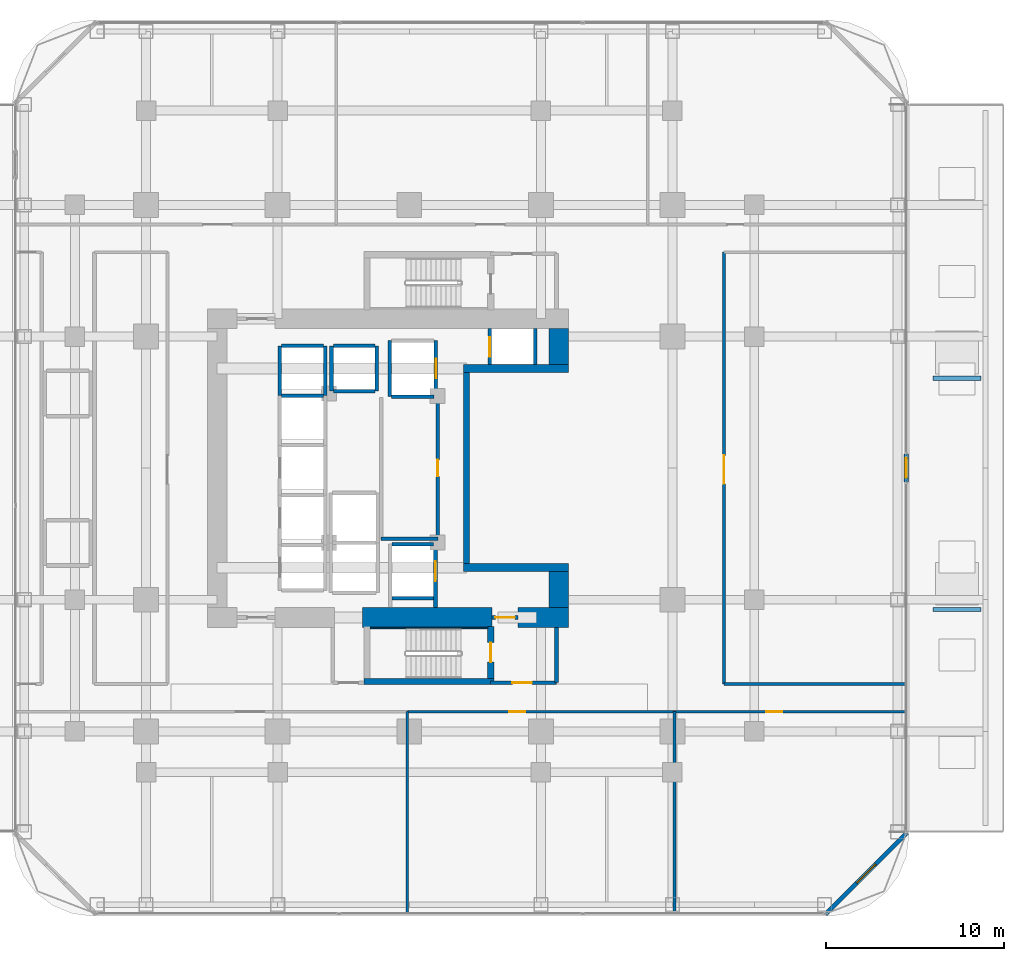
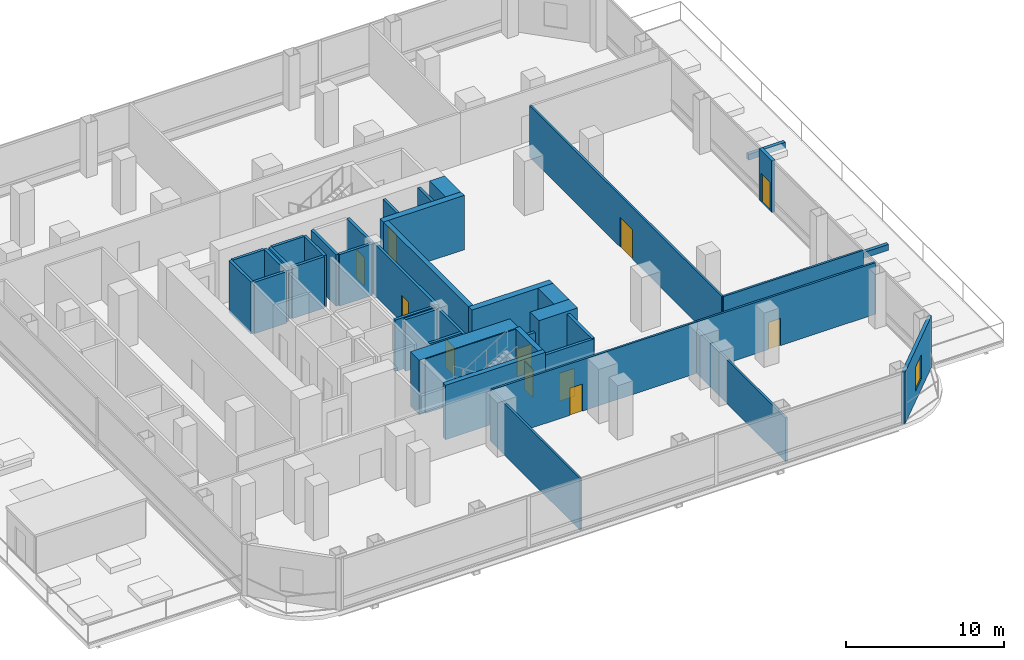
# One storey, part 24 of 29: 41 walls, 11 doors, 1 window, 12 openings.
"""IFC4 building model written with IfcOpenShell, lengths in metres."""

from ifc_helpers import new_model, si_unit, direction, frame, frame_2d, origin, place, context, subcontext, project, spatial, rectangle, extrude, material, layer, layer_set, type_object, element, fill, save


model = new_model("IFC4")

# Units and contexts
model_context = context("Model", 3, precision=1e-05, world=origin(), true_north=direction((0.0, 1.0)))
body_context = subcontext(model_context, "Body", "Model", "MODEL_VIEW")
ifc_project = project(units=[si_unit("LENGTHUNIT", "METRE"), si_unit("AREAUNIT", "SQUARE_METRE"), si_unit("VOLUMEUNIT", "CUBIC_METRE"), si_unit("PLANEANGLEUNIT", "RADIAN"), si_unit("MASSUNIT", "GRAM", prefix="KILO")], contexts=[model_context])

# Site, building, storey
site_placement = place(None, origin())
site = spatial("IfcSite", under=ifc_project, at=site_placement, CompositionType="ELEMENT")
building_placement = place(site_placement, origin())
building = spatial("IfcBuilding", under=site, at=building_placement, Name="Khorvyn Point Tower", CompositionType="ELEMENT")
storey_placement = place(building_placement, frame((0.0, 0.0, 26.39990234375)))
storey = spatial("IfcBuildingStorey", under=building, at=storey_placement, Name="L07", CompositionType="ELEMENT", Elevation=26.39990234375)

# Wall, opening, door
ifc_material_1 = material(Name="Pale anodised aluminium rainscreen on steel stud", Category="steel")
ifc_layer_1 = layer(ifc_material_1, 0.239990234375)
ifc_layer_set_1 = layer_set([ifc_layer_1], Name="Anodised Aluminium Insulated Corner Spandrel Wall 240")
wall_type_1 = type_object("IfcWallType", Name="Anodised Aluminium Insulated Corner Spandrel Wall 240", PredefinedType="SOLIDWALL", material=ifc_layer_set_1)
wall_1_placement = place(storey_placement, frame((27.949951171875, 0.7900390625, 0.0), z_axis=(0.0, 0.0, 1.0), x_axis=(0.0, -1.0, 0.0)))
wall_1 = element("IfcWall", 1, at=wall_1_placement, inside=storey, type_object=wall_type_1, Name="L07 East Outdoor Threshold Wall", PredefinedType="SOLIDWALL", context=body_context, shape_type="SweptSolid", body=[
    extrude(rectangle(XDim=1.580078125, YDim=0.239990234375, at=frame_2d((0.7900390625, 0.0))), origin(), (0.0, 0.0, 1.0), 3.97998046875),
])
opening_1_placement = place(wall_1_placement, frame((0.239990234375, 0.0, 0.0)))
opening_1 = element("IfcOpeningElement", 2, at=opening_1_placement, cuts=wall_1, Name="Opening BD-1122", PredefinedType="OPENING", context=body_context, shape_type="SweptSolid", body=[
    extrude(rectangle(XDim=1.10009765625, YDim=2.199951171875, at=frame_2d((0.550048828125, 1.10009765625))), frame((0.0, 0.1298828125, 0.0), z_axis=(0.0, -1.0, 0.0), x_axis=(1.0, 0.0, 0.0)), (0.0, 0.0, 1.0), 0.260009765625),
])
ifc_material_2 = material(Name="Anodised aluminium 6063-T6 and laminated Low-E glass", Category="aluminium")
door_type_1 = type_object("IfcDoorType", Name="Glazed Balcony and Terrace Threshold Door 1100x2200", OperationType="NOTDEFINED", PredefinedType="DOOR", material=ifc_material_2)
door_1_placement = place(opening_1_placement, origin())
door_1 = element("IfcDoor", 3, at=door_1_placement, inside=storey, type_object=door_type_1, Name="L07 East Terrace Outdoor Door", OperationType="SINGLE_SWING_LEFT", OverallHeight=2.199951171875, OverallWidth=1.10009765625, PredefinedType="DOOR", context=body_context, shape_type="SweptSolid", body=[
    extrude(rectangle(XDim=1.10009765625, YDim=2.199951171875, at=frame_2d((0.550048828125, 1.10009765625))), frame((0.0, 0.02490234375, 0.0), z_axis=(0.0, -1.0, 0.0), x_axis=(1.0, 0.0, 0.0)), (0.0, 0.0, 1.0), 0.050048828125),
])
fill(opening_1, door_1)

# Wall, opening, window
wall_2_placement = place(storey_placement, frame((27.992431640625, -20.507568359375, 0.0), z_axis=(0.0, 0.0, 1.0), x_axis=(-0.707106781187, -0.707106781187, 0.0)))
wall_2 = element("IfcWall", 4, at=wall_2_placement, inside=storey, type_object=wall_type_1, Name="L07 Rounded Corner Wall SE", PredefinedType="SOLIDWALL", context=body_context, shape_type="SweptSolid", body=[
    extrude(rectangle(XDim=6.48388671875, YDim=0.239990234375, at=frame_2d((3.241943359375, 0.0))), origin(), (0.0, 0.0, 1.0), 3.97998046875),
])
opening_2_placement = place(wall_2_placement, frame((2.491943359375, 0.0, 0.800048828125)))
opening_2 = element("IfcOpeningElement", 5, at=opening_2_placement, cuts=wall_2, Name="Opening WN-1518", PredefinedType="OPENING", context=body_context, shape_type="SweptSolid", body=[
    extrude(rectangle(XDim=1.5, YDim=1.85009765625, at=frame_2d((0.75, 0.925048828125))), frame((0.0, 0.1298828125, 0.0), z_axis=(0.0, -1.0, 0.0), x_axis=(1.0, 0.0, 0.0)), (0.0, 0.0, 1.0), 0.260009765625),
])
window_type = type_object("IfcWindowType", Name="Anodised Aluminium Rounded-Corner Panoramic Window 1500x1850", PartitioningType="SINGLE_PANEL", PredefinedType="WINDOW", material=ifc_material_2)
window_placement = place(opening_2_placement, origin())
window = element("IfcWindow", 6, at=window_placement, inside=storey, type_object=window_type, Name="L07 Corner Panoramic Window SE", OverallHeight=1.85009765625, OverallWidth=1.5, PartitioningType="SINGLE_PANEL", PredefinedType="WINDOW", context=body_context, shape_type="SweptSolid", body=[
    extrude(rectangle(XDim=1.5, YDim=1.85009765625, at=frame_2d((0.75, 0.925048828125))), frame((0.0, 0.030029296875, 0.0), z_axis=(0.0, -1.0, 0.0), x_axis=(1.0, 0.0, 0.0)), (0.0, 0.0, 1.0), 0.06005859375),
])
fill(opening_2, window)

# Walls
ifc_material_3 = material(Name="Concrete C35/45", Category="concrete")
ifc_layer_2 = layer(ifc_material_3, 0.25)
ifc_layer_set_2 = layer_set([ifc_layer_2], Name="Concrete C35/45 Roof Parapet Upstand Wall 250")
wall_type_2 = type_object("IfcWallType", Name="Concrete C35/45 Roof Parapet Upstand Wall 250", PredefinedType="PARAPET", material=ifc_layer_set_2)
for number, where, z_axis, x_axis, name in (
    (7, (29.449951171875, -7.949951171875, 0.0), (0.0, 0.0, 1.0), (1.0, 0.0, 0.0), "L07 Garden Skylight Upstand 4"),
    (8, (29.449951171875, 5.050048828125, 0.0), (0.0, 0.0, 1.0), (1.0, 0.0, 0.0), "L07 Garden Skylight Upstand 5"),
):
    element("IfcWall", number, at=place(storey_placement, frame(where, z_axis=z_axis, x_axis=x_axis)), inside=storey, type_object=wall_type_2, Name=name, PredefinedType="PARAPET", context=body_context, shape_type="SweptSolid", body=[
        extrude(rectangle(XDim=2.699951171875, YDim=0.25, at=frame_2d((1.35009765625, 0.0))), origin(), (0.0, 0.0, 1.0), 0.4501953125),
    ])
ifc_material_4 = material(Name="Concrete C40/50", Category="concrete")
ifc_layer_3 = layer(ifc_material_4, 0.449951171875)
ifc_layer_set_3 = layer_set([ifc_layer_3], Name="Concrete C40/50 Core Shear Wall 450")
wall_type_3 = type_object("IfcWallType", Name="Concrete C40/50 Core Shear Wall 450", PredefinedType="SHEAR", material=ifc_layer_set_3)
for number, where, z_axis, x_axis, name in (
    (9, (3.044921875, -5.60009765625, 0.0), (0.0, 0.0, 1.0), (1.0, 0.0, 0.0), "Wall"),
    (10, (3.044921875, 5.60009765625, 0.0), (0.0, 0.0, 1.0), (1.0, 0.0, 0.0), "Wall"),
):
    element("IfcWall", number, at=place(storey_placement, frame(where, z_axis=z_axis, x_axis=x_axis)), inside=storey, type_object=wall_type_3, Name=name, PredefinedType="SHEAR", context=body_context, shape_type="SweptSolid", body=[
        extrude(rectangle(XDim=5.905029296875, YDim=0.449951171875, at=frame_2d((2.95263671875, 0.0))), origin(), (0.0, 0.0, 1.0), 4.2001953125),
    ])

# Wall, opening, door
ifc_layer_4 = layer(ifc_material_4, 0.199951171875)
ifc_layer_set_4 = layer_set([ifc_layer_4], Name="Concrete C40/50 Fire-Lobby Compartment Wall 200")
wall_type_4 = type_object("IfcWallType", Name="Concrete C40/50 Fire-Lobby Compartment Wall 200", PredefinedType="SOLIDWALL", material=ifc_layer_set_4)
wall_3_placement = place(storey_placement, frame((4.580078125, -12.06005859375, 0.0), z_axis=(0.0, 0.0, 1.0), x_axis=(1.0, 0.0, 0.0)))
wall_3 = element("IfcWall", 11, at=wall_3_placement, inside=storey, type_object=wall_type_4, Name="Wall", PredefinedType="SOLIDWALL", context=body_context, shape_type="SweptSolid", body=[
    extrude(rectangle(XDim=3.699951171875, YDim=0.199951171875, at=frame_2d((1.85009765625, 0.0))), origin(), (0.0, 0.0, 1.0), 3.97998046875),
])
opening_3_placement = place(wall_3_placement, frame((1.21240234375, 0.0, 0.0)))
opening_3 = element("IfcOpeningElement", 12, at=opening_3_placement, cuts=wall_3, Name="Opening ID-FL90", PredefinedType="OPENING", context=body_context, shape_type="SweptSolid", body=[
    extrude(rectangle(XDim=1.10009765625, YDim=2.14990234375, at=frame_2d((0.550048828125, 1.074951171875))), frame((0.0, 0.10986328125, 0.0), z_axis=(0.0, -1.0, 0.0), x_axis=(1.0, 0.0, 0.0)), (0.0, 0.0, 1.0), 0.219970703125),
])
ifc_material_5 = material(Name="Galvanised powder-coated steel", Category="steel")
door_type_2 = type_object("IfcDoorType", Name="Fire-Rated Steel Lobby and Stair Door 1100x2150", OperationType="NOTDEFINED", PredefinedType="DOOR", material=ifc_material_5)
door_2_placement = place(opening_3_placement, origin())
door_2 = element("IfcDoor", 13, at=door_2_placement, inside=storey, type_object=door_type_2, Name="Door", OperationType="SINGLE_SWING_LEFT", OverallHeight=2.14990234375, OverallWidth=1.10009765625, PredefinedType="DOOR", context=body_context, shape_type="SweptSolid", body=[
    extrude(rectangle(XDim=1.10009765625, YDim=2.14990234375, at=frame_2d((0.550048828125, 1.074951171875))), frame((0.0, 0.02490234375, 0.0), z_axis=(0.0, -1.0, 0.0), x_axis=(1.0, 0.0, 0.0)), (0.0, 0.0, 1.0), 0.050048828125),
])
fill(opening_3, door_2)

wall_4_placement = place(storey_placement, frame((4.64990234375, -8.39990234375, 0.0), z_axis=(0.0, 0.0, 1.0), x_axis=(1.0, 0.0, 0.0)))
wall_4 = element("IfcWall", 14, at=wall_4_placement, inside=storey, type_object=wall_type_4, Name="Wall", PredefinedType="SOLIDWALL", context=body_context, shape_type="SweptSolid", body=[
    extrude(rectangle(XDim=1.47021484375, YDim=0.199951171875, at=frame_2d((0.735107421875, 0.0))), origin(), (0.0, 0.0, 1.0), 3.02001953125),
])
opening_4_placement = place(wall_4_placement, frame((0.18505859375, 0.0, 0.0)))
opening_4 = element("IfcOpeningElement", 15, at=opening_4_placement, cuts=wall_4, Name="Opening ID-FL90", PredefinedType="OPENING", context=body_context, shape_type="SweptSolid", body=[
    extrude(rectangle(XDim=1.10009765625, YDim=2.14990234375, at=frame_2d((0.550048828125, 1.074951171875))), frame((0.0, 0.10986328125, 0.0), z_axis=(0.0, -1.0, 0.0), x_axis=(1.0, 0.0, 0.0)), (0.0, 0.0, 1.0), 0.219970703125),
])
door_3_placement = place(opening_4_placement, origin())
door_3 = element("IfcDoor", 16, at=door_3_placement, inside=storey, type_object=door_type_2, Name="Door", OperationType="SINGLE_SWING_RIGHT", OverallHeight=2.14990234375, OverallWidth=1.10009765625, PredefinedType="DOOR", context=body_context, shape_type="SweptSolid", body=[
    extrude(rectangle(XDim=1.10009765625, YDim=2.14990234375, at=frame_2d((0.550048828125, 1.074951171875))), frame((0.0, 0.02490234375, 0.0), z_axis=(0.0, -1.0, 0.0), x_axis=(1.0, 0.0, 0.0)), (0.0, 0.0, 1.0), 0.050048828125),
])
fill(opening_4, door_3)

wall_5_placement = place(storey_placement, frame((1.610107421875, -3.97998046875, 0.0), z_axis=(0.0, 0.0, 1.0), x_axis=(0.0, 1.0, 0.0)))
wall_5 = element("IfcWall", 17, at=wall_5_placement, inside=storey, type_object=wall_type_4, Name="Wall", PredefinedType="SOLIDWALL", context=body_context, shape_type="SweptSolid", body=[
    extrude(rectangle(XDim=7.9599609375, YDim=0.199951171875, at=frame_2d((3.97998046875, 0.0))), origin(), (0.0, 0.0, 1.0), 3.97998046875),
])
opening_5_placement = place(wall_5_placement, frame((3.52001953125, 0.0, 0.0)))
opening_5 = element("IfcOpeningElement", 18, at=opening_5_placement, cuts=wall_5, Name="Opening ID-RS60", PredefinedType="OPENING", context=body_context, shape_type="SweptSolid", body=[
    extrude(rectangle(XDim=0.919921875, YDim=2.10009765625, at=frame_2d((0.4599609375, 1.050048828125))), frame((0.0, 0.10986328125, 0.0), z_axis=(0.0, -1.0, 0.0), x_axis=(1.0, 0.0, 0.0)), (0.0, 0.0, 1.0), 0.219970703125),
])
door_type_3 = type_object("IfcDoorType", Name="Fire-Rated Riser and Store Steel Door 920x2100", OperationType="NOTDEFINED", PredefinedType="DOOR", material=ifc_material_5)
door_4_placement = place(opening_5_placement, origin())
door_4 = element("IfcDoor", 19, at=door_4_placement, inside=storey, type_object=door_type_3, Name="Door", OperationType="SINGLE_SWING_LEFT", OverallHeight=2.10009765625, OverallWidth=0.919921875, PredefinedType="DOOR", context=body_context, shape_type="SweptSolid", body=[
    extrude(rectangle(XDim=0.919921875, YDim=2.10009765625, at=frame_2d((0.4599609375, 1.050048828125))), frame((0.0, 0.02490234375, 0.0), z_axis=(0.0, -1.0, 0.0), x_axis=(1.0, 0.0, 0.0)), (0.0, 0.0, 1.0), 0.050048828125),
])
fill(opening_5, door_4)

# Walls
wall_6_placement = place(storey_placement, frame((8.280029296875, -12.06005859375, 0.0), z_axis=(0.0, 0.0, 1.0), x_axis=(0.0, 1.0, 0.0)))
element("IfcWall", 20, at=wall_6_placement, inside=storey, type_object=wall_type_4, Name="Wall", PredefinedType="SOLIDWALL", context=body_context, shape_type="SweptSolid", body=[
    extrude(rectangle(XDim=3.110107421875, YDim=0.199951171875, at=frame_2d((1.55517578125, 0.0))), origin(), (0.0, 0.0, 1.0), 3.97998046875),
])
wall_7_placement = place(storey_placement, frame((-1.580078125, -3.97998046875, 0.0), z_axis=(0.0, 0.0, 1.0), x_axis=(1.0, 0.0, 0.0)))
element("IfcWall", 21, at=wall_7_placement, inside=storey, type_object=wall_type_4, Name="Wall", PredefinedType="SOLIDWALL", context=body_context, shape_type="SweptSolid", body=[
    extrude(rectangle(XDim=3.190185546875, YDim=0.199951171875, at=frame_2d((1.59521484375, 0.0))), origin(), (0.0, 0.0, 1.0), 3.97998046875),
])
ifc_layer_5 = layer(ifc_material_4, 0.25)
ifc_layer_set_5 = layer_set([ifc_layer_5], Name="Concrete C40/50 Stair Inner Cheek Structural Wall 250")
wall_type_5 = type_object("IfcWallType", Name="Concrete C40/50 Stair Inner Cheek Structural Wall 250", PredefinedType="SHEAR", material=ifc_layer_set_5)
wall_8_placement = place(storey_placement, frame((-2.199951171875, -8.987548828125, 0.0), z_axis=(0.0, 0.0, 1.0), x_axis=(1.0, 0.0, 0.0)))
element("IfcWall", 22, at=wall_8_placement, inside=storey, type_object=wall_type_5, Name="Wall", PredefinedType="SHEAR", context=body_context, shape_type="SweptSolid", body=[
    extrude(rectangle(XDim=6.599853515625, YDim=0.074951171875, at=frame_2d((3.2998046875, 0.0))), origin(), (0.0, 0.0, 1.0), 4.2001953125),
])
ifc_layer_6 = layer(ifc_material_4, 0.35009765625)
ifc_layer_set_6 = layer_set([ifc_layer_6], Name="Concrete C40/50 Stair Shaft Structural Wall 350")
wall_type_6 = type_object("IfcWallType", Name="Concrete C40/50 Stair Shaft Structural Wall 350", PredefinedType="SHEAR", material=ifc_layer_set_6)
wall_9_placement = place(storey_placement, frame((3.219970703125, -5.375, 0.0), z_axis=(0.0, 0.0, 1.0), x_axis=(0.0, 1.0, 0.0)))
element("IfcWall", 23, at=wall_9_placement, inside=storey, type_object=wall_type_6, Name="Wall", PredefinedType="SHEAR", context=body_context, shape_type="SweptSolid", body=[
    extrude(rectangle(XDim=10.75, YDim=0.35009765625, at=frame_2d((5.375, 0.0))), origin(), (0.0, 0.0, 1.0), 4.2001953125),
])
wall_10_placement = place(storey_placement, frame((-2.554931640625, -12.0, 0.0), z_axis=(0.0, 0.0, 1.0), x_axis=(1.0, 0.0, 0.0)))
element("IfcWall", 24, at=wall_10_placement, inside=storey, type_object=wall_type_6, Name="L07 ST-01 South Shaft Wall", PredefinedType="SHEAR", context=body_context, shape_type="SweptSolid", body=[
    extrude(rectangle(XDim=7.309814453125, YDim=0.35009765625, at=frame_2d((3.65478515625, 0.0))), origin(), (0.0, 0.0, 1.0), 4.2001953125),
])

# Wall, opening, door
wall_11_placement = place(storey_placement, frame((4.580078125, -8.89990234375, 0.0), z_axis=(0.0, 0.0, 1.0), x_axis=(0.0, -1.0, 0.0)))
wall_11 = element("IfcWall", 25, at=wall_11_placement, inside=storey, type_object=wall_type_6, Name="L07 ST-01 East Landing Door Wall", PredefinedType="SHEAR", context=body_context, shape_type="SweptSolid", body=[
    extrude(rectangle(XDim=2.925048828125, YDim=0.35009765625, at=frame_2d((1.46240234375, 0.0))), origin(), (0.0, 0.0, 1.0), 4.2001953125),
])
opening_6_placement = place(wall_11_placement, frame((0.91259765625, 0.0, 0.0)))
opening_6 = element("IfcOpeningElement", 26, at=opening_6_placement, cuts=wall_11, Name="Opening ID-FL90", PredefinedType="OPENING", context=body_context, shape_type="SweptSolid", body=[
    extrude(rectangle(XDim=1.10009765625, YDim=2.14990234375, at=frame_2d((0.550048828125, 1.074951171875))), frame((0.0, 0.18505859375, 0.0), z_axis=(0.0, -1.0, 0.0), x_axis=(1.0, 0.0, 0.0)), (0.0, 0.0, 1.0), 0.3701171875),
])
door_5_placement = place(opening_6_placement, origin())
door_5 = element("IfcDoor", 27, at=door_5_placement, inside=storey, type_object=door_type_2, Name="L07 ST-01 Smokeproof Landing Door", OperationType="SINGLE_SWING_LEFT", OverallHeight=2.14990234375, OverallWidth=1.10009765625, PredefinedType="DOOR", context=body_context, shape_type="SweptSolid", body=[
    extrude(rectangle(XDim=1.10009765625, YDim=2.14990234375, at=frame_2d((0.550048828125, 1.074951171875))), frame((0.0, 0.02490234375, 0.0), z_axis=(0.0, -1.0, 0.0), x_axis=(1.0, 0.0, 0.0)), (0.0, 0.0, 1.0), 0.050048828125),
])
fill(opening_6, door_5)

# Walls
ifc_layer_7 = layer(ifc_material_4, 0.199951171875)
ifc_layer_set_7 = layer_set([ifc_layer_7], Name="Concrete C40/50 Structural Hoistway and Stair Shaft Wall 200")
wall_type_7 = type_object("IfcWallType", Name="Concrete C40/50 Structural Hoistway and Stair Shaft Wall 200", PredefinedType="SHEAR", material=ifc_layer_set_7)
wall_12_placement = place(storey_placement, frame((-7.175048828125, 4.074951171875, 0.0), z_axis=(0.0, 0.0, 1.0), x_axis=(1.0, 0.0, 0.0)))
element("IfcWall", 28, at=wall_12_placement, inside=storey, type_object=wall_type_7, Name="Wall", PredefinedType="SHEAR", context=body_context, shape_type="SweptSolid", body=[
    extrude(rectangle(XDim=2.35009765625, YDim=0.199951171875, at=frame_2d((1.175048828125, 0.0))), origin(), (0.0, 0.0, 1.0), 3.97998046875),
])
for number, where, z_axis, x_axis, name in (
    (29, (-7.27490234375, 4.074951171875, 0.0), (0.0, 0.0, 1.0), (0.0, 1.0, 0.0), "Wall"),
    (30, (-4.72509765625, 4.074951171875, 0.0), (0.0, 0.0, 1.0), (0.0, 1.0, 0.0), "Wall"),
):
    element("IfcWall", number, at=place(storey_placement, frame(where, z_axis=z_axis, x_axis=x_axis)), inside=storey, type_object=wall_type_7, Name=name, PredefinedType="SHEAR", context=body_context, shape_type="SweptSolid", body=[
        extrude(rectangle(XDim=2.800048828125, YDim=0.199951171875, at=frame_2d((1.39990234375, 0.0))), origin(), (0.0, 0.0, 1.0), 3.97998046875),
    ])
wall_13_placement = place(storey_placement, frame((-7.175048828125, 6.875, 0.0), z_axis=(0.0, 0.0, 1.0), x_axis=(1.0, 0.0, 0.0)))
element("IfcWall", 31, at=wall_13_placement, inside=storey, type_object=wall_type_7, Name="Wall", PredefinedType="SHEAR", context=body_context, shape_type="SweptSolid", body=[
    extrude(rectangle(XDim=2.35009765625, YDim=0.199951171875, at=frame_2d((1.175048828125, 0.0))), origin(), (0.0, 0.0, 1.0), 3.97998046875),
])
for number, where, z_axis, x_axis, name in (
    (32, (-4.375, 4.324951171875, 0.0), (0.0, 0.0, 1.0), (0.0, 1.0, 0.0), "Wall"),
    (33, (-1.824951171875, 4.324951171875, 0.0), (0.0, 0.0, 1.0), (0.0, 1.0, 0.0), "Wall"),
):
    element("IfcWall", number, at=place(storey_placement, frame(where, z_axis=z_axis, x_axis=x_axis)), inside=storey, type_object=wall_type_7, Name=name, PredefinedType="SHEAR", context=body_context, shape_type="SweptSolid", body=[
        extrude(rectangle(XDim=2.550048828125, YDim=0.199951171875, at=frame_2d((1.27490234375, 0.0))), origin(), (0.0, 0.0, 1.0), 3.97998046875),
    ])
for number, where, z_axis, x_axis, name in (
    (34, (-4.27490234375, 4.324951171875, 0.0), (0.0, 0.0, 1.0), (1.0, 0.0, 0.0), "Wall"),
    (35, (-4.27490234375, 6.875, 0.0), (0.0, 0.0, 1.0), (1.0, 0.0, 0.0), "Wall"),
):
    element("IfcWall", number, at=place(storey_placement, frame(where, z_axis=z_axis, x_axis=x_axis)), inside=storey, type_object=wall_type_7, Name=name, PredefinedType="SHEAR", context=body_context, shape_type="SweptSolid", body=[
        extrude(rectangle(XDim=2.349853515625, YDim=0.199951171875, at=frame_2d((1.1748046875, 0.0))), origin(), (0.0, 0.0, 1.0), 3.97998046875),
    ])
wall_14_placement = place(storey_placement, frame((-1.10009765625, 4.02490234375, 0.0), z_axis=(0.0, 0.0, 1.0), x_axis=(0.0, 1.0, 0.0)))
element("IfcWall", 36, at=wall_14_placement, inside=storey, type_object=wall_type_7, Name="Wall", PredefinedType="SHEAR", context=body_context, shape_type="SweptSolid", body=[
    extrude(rectangle(XDim=3.150146484375, YDim=0.199951171875, at=frame_2d((1.5751953125, 0.0))), origin(), (0.0, 0.0, 1.0), 3.97998046875),
])

# Wall, opening, door
wall_15_placement = place(storey_placement, frame((1.5, 4.02490234375, 0.0), z_axis=(0.0, 0.0, 1.0), x_axis=(0.0, 1.0, 0.0)))
wall_15 = element("IfcWall", 37, at=wall_15_placement, inside=storey, type_object=wall_type_7, Name="Wall", PredefinedType="SHEAR", context=body_context, shape_type="SweptSolid", body=[
    extrude(rectangle(XDim=3.150146484375, YDim=0.199951171875, at=frame_2d((1.5751953125, 0.0))), origin(), (0.0, 0.0, 1.0), 3.97998046875),
])
opening_7_placement = place(wall_15_placement, frame((1.02490234375, 0.0, 0.0)))
opening_7 = element("IfcOpeningElement", 38, at=opening_7_placement, cuts=wall_15, Name="Opening LD-1122", PredefinedType="OPENING", context=body_context, shape_type="SweptSolid", body=[
    extrude(rectangle(XDim=1.10009765625, YDim=2.199951171875, at=frame_2d((0.550048828125, 1.10009765625))), frame((0.0, 0.10986328125, 0.0), z_axis=(0.0, -1.0, 0.0), x_axis=(1.0, 0.0, 0.0)), (0.0, 0.0, 1.0), 0.219970703125),
])
ifc_material_6 = material(Name="Stainless steel 1.4301", Category="steel")
door_type_4 = type_object("IfcDoorType", Name="Stainless Steel Automatic Sliding Lift Landing Door 1100x2200", OperationType="SLIDING_TO_LEFT", PredefinedType="DOOR", material=ifc_material_6)
door_6_placement = place(opening_7_placement, origin())
door_6 = element("IfcDoor", 39, at=door_6_placement, inside=storey, type_object=door_type_4, Name="L07 SV-01 Sliding Lift Landing Door", OperationType="SLIDING_TO_LEFT", OverallHeight=2.199951171875, OverallWidth=1.10009765625, PredefinedType="DOOR", context=body_context, shape_type="SweptSolid", body=[
    extrude(rectangle(XDim=1.10009765625, YDim=2.199951171875, at=frame_2d((0.550048828125, 1.10009765625))), frame((0.0, 0.02490234375, 0.0), z_axis=(0.0, -1.0, 0.0), x_axis=(1.0, 0.0, 0.0)), (0.0, 0.0, 1.0), 0.050048828125),
])
fill(opening_7, door_6)

# Wall
wall_16_placement = place(storey_placement, frame((-1.0, 4.02490234375, 0.0), z_axis=(0.0, 0.0, 1.0), x_axis=(1.0, 0.0, 0.0)))
element("IfcWall", 40, at=wall_16_placement, inside=storey, type_object=wall_type_7, Name="Wall", PredefinedType="SHEAR", context=body_context, shape_type="SweptSolid", body=[
    extrude(rectangle(XDim=2.39990234375, YDim=0.199951171875, at=frame_2d((1.199951171875, 0.0))), origin(), (0.0, 0.0, 1.0), 3.97998046875),
])

# Wall, opening, door
wall_17_placement = place(storey_placement, frame((1.47509765625, -7.85009765625, 0.0), z_axis=(0.0, 0.0, 1.0), x_axis=(0.0, 1.0, 0.0)))
wall_17 = element("IfcWall", 41, at=wall_17_placement, inside=storey, type_object=wall_type_7, Name="Wall", PredefinedType="SHEAR", context=body_context, shape_type="SweptSolid", body=[
    extrude(rectangle(XDim=3.5751953125, YDim=0.199951171875, at=frame_2d((1.78759765625, 0.0))), origin(), (0.0, 0.0, 1.0), 3.97998046875),
])
opening_8_placement = place(wall_17_placement, frame((1.5, 0.0, 0.0)))
opening_8 = element("IfcOpeningElement", 42, at=opening_8_placement, cuts=wall_17, Name="Opening LD-1122", PredefinedType="OPENING", context=body_context, shape_type="SweptSolid", body=[
    extrude(rectangle(XDim=1.10009765625, YDim=2.199951171875, at=frame_2d((0.550048828125, 1.10009765625))), frame((0.0, 0.10986328125, 0.0), z_axis=(0.0, -1.0, 0.0), x_axis=(1.0, 0.0, 0.0)), (0.0, 0.0, 1.0), 0.219970703125),
])
door_7_placement = place(opening_8_placement, origin())
door_7 = element("IfcDoor", 43, at=door_7_placement, inside=storey, type_object=door_type_4, Name="L07 FF-01 Sliding Lift Landing Door", OperationType="SLIDING_TO_LEFT", OverallHeight=2.199951171875, OverallWidth=1.10009765625, PredefinedType="DOOR", context=body_context, shape_type="SweptSolid", body=[
    extrude(rectangle(XDim=1.10009765625, YDim=2.199951171875, at=frame_2d((0.550048828125, 1.10009765625))), frame((0.0, 0.02490234375, 0.0), z_axis=(0.0, -1.0, 0.0), x_axis=(1.0, 0.0, 0.0)), (0.0, 0.0, 1.0), 0.050048828125),
])
fill(opening_8, door_7)

# Walls
for number, where, z_axis, x_axis, name in (
    (44, (-0.97509765625, -7.324951171875, 0.0), (0.0, 0.0, 1.0), (1.0, 0.0, 0.0), "Wall"),
    (45, (-0.97509765625, -4.27490234375, 0.0), (0.0, 0.0, 1.0), (1.0, 0.0, 0.0), "Wall"),
):
    element("IfcWall", number, at=place(storey_placement, frame(where, z_axis=z_axis, x_axis=x_axis)), inside=storey, type_object=wall_type_7, Name=name, PredefinedType="SHEAR", context=body_context, shape_type="SweptSolid", body=[
        extrude(rectangle(XDim=2.35009765625, YDim=0.199951171875, at=frame_2d((1.175048828125, 0.0))), origin(), (0.0, 0.0, 1.0), 3.97998046875),
    ])

# Wall, opening, door
wall_18_placement = place(storey_placement, frame((4.52490234375, 5.824951171875, 0.0), z_axis=(0.0, 0.0, 1.0), x_axis=(0.0, 1.0, 0.0)))
wall_18 = element("IfcWall", 46, at=wall_18_placement, inside=storey, type_object=wall_type_7, Name="Wall", PredefinedType="SHEAR", context=body_context, shape_type="SweptSolid", body=[
    extrude(rectangle(XDim=2.025146484375, YDim=0.199951171875, at=frame_2d((1.0126953125, 0.0))), origin(), (0.0, 0.0, 1.0), 3.97998046875),
])
opening_9_placement = place(wall_18_placement, frame((0.425048828125, 0.0, 0.0)))
opening_9 = element("IfcOpeningElement", 47, at=opening_9_placement, cuts=wall_18, Name="Opening LD-1122", PredefinedType="OPENING", context=body_context, shape_type="SweptSolid", body=[
    extrude(rectangle(XDim=1.10009765625, YDim=2.199951171875, at=frame_2d((0.550048828125, 1.10009765625))), frame((0.0, 0.10986328125, 0.0), z_axis=(0.0, -1.0, 0.0), x_axis=(1.0, 0.0, 0.0)), (0.0, 0.0, 1.0), 0.219970703125),
])
door_8_placement = place(opening_9_placement, origin())
door_8 = element("IfcDoor", 48, at=door_8_placement, inside=storey, type_object=door_type_4, Name="L07 FF-02 Sliding Lift Landing Door", OperationType="SLIDING_TO_LEFT", OverallHeight=2.199951171875, OverallWidth=1.10009765625, PredefinedType="DOOR", context=body_context, shape_type="SweptSolid", body=[
    extrude(rectangle(XDim=1.10009765625, YDim=2.199951171875, at=frame_2d((0.550048828125, 1.10009765625))), frame((0.0, 0.02490234375, 0.0), z_axis=(0.0, -1.0, 0.0), x_axis=(1.0, 0.0, 0.0)), (0.0, 0.0, 1.0), 0.050048828125),
])
fill(opening_9, door_8)

# Walls
wall_19_placement = place(storey_placement, frame((7.074951171875, 5.824951171875, 0.0), z_axis=(0.0, 0.0, 1.0), x_axis=(0.0, 1.0, 0.0)))
element("IfcWall", 49, at=wall_19_placement, inside=storey, type_object=wall_type_7, Name="Wall", PredefinedType="SHEAR", context=body_context, shape_type="SweptSolid", body=[
    extrude(rectangle(XDim=2.025146484375, YDim=0.199951171875, at=frame_2d((1.0126953125, 0.0))), origin(), (0.0, 0.0, 1.0), 3.97998046875),
])
ifc_material_7 = material(Name="Concrete C50/60", Category="concrete")
ifc_layer_8 = layer(ifc_material_7, 1.10009765625)
ifc_layer_set_8 = layer_set([ifc_layer_8], Name="Concrete C50/60 Core Shear Wall 1100")
wall_type_8 = type_object("IfcWallType", Name="Concrete C50/60 Core Shear Wall 1100", PredefinedType="SHEAR", material=ifc_layer_set_8)
wall_20_placement = place(storey_placement, frame((-2.6201171875, -8.39990234375, 0.0), z_axis=(0.0, 0.0, 1.0), x_axis=(1.0, 0.0, 0.0)))
element("IfcWall", 50, at=wall_20_placement, inside=storey, type_object=wall_type_8, Name="Wall", PredefinedType="SHEAR", context=body_context, shape_type="SweptSolid", body=[
    extrude(rectangle(XDim=7.27001953125, YDim=1.10009765625, at=frame_2d((3.635009765625, 0.0))), origin(), (0.0, 0.0, 1.0), 4.2001953125),
])
wall_21_placement = place(storey_placement, frame((6.1201171875, -8.39990234375, 0.0), z_axis=(0.0, 0.0, 1.0), x_axis=(1.0, 0.0, 0.0)))
element("IfcWall", 51, at=wall_21_placement, inside=storey, type_object=wall_type_8, Name="Wall", PredefinedType="SHEAR", context=body_context, shape_type="SweptSolid", body=[
    extrude(rectangle(XDim=2.829833984375, YDim=1.10009765625, at=frame_2d((1.4150390625, 0.0))), origin(), (0.0, 0.0, 1.0), 4.2001953125),
])
for number, where, z_axis, x_axis, name in (
    (52, (8.39990234375, -7.85009765625, 0.0), (0.0, 0.0, 1.0), (0.0, 1.0, 0.0), "Wall"),
    (53, (8.39990234375, 5.824951171875, 0.0), (0.0, 0.0, 1.0), (0.0, 1.0, 0.0), "Wall"),
):
    element("IfcWall", number, at=place(storey_placement, frame(where, z_axis=z_axis, x_axis=x_axis)), inside=storey, type_object=wall_type_8, Name=name, PredefinedType="SHEAR", context=body_context, shape_type="SweptSolid", body=[
        extrude(rectangle(XDim=2.025146484375, YDim=1.10009765625, at=frame_2d((1.0126953125, 0.0))), origin(), (0.0, 0.0, 1.0), 4.2001953125),
    ])

# Wall, opening, door
ifc_material_8 = material(Name="Moisture-resistant gypsum and cement board", Category="gypsum")
ifc_layer_9 = layer(ifc_material_8, 0.14990234375)
ifc_layer_set_9 = layer_set([ifc_layer_9], Name="Moisture-Resistant Wet-Room Partition Wall 150")
wall_type_9 = type_object("IfcWallType", Name="Moisture-Resistant Wet-Room Partition Wall 150", PredefinedType="PARTITIONING", material=ifc_layer_set_9)
wall_22_placement = place(storey_placement, frame((-0.10498046875, -13.699951171875, 0.0), z_axis=(0.0, 0.0, 1.0), x_axis=(1.0, 0.0, 0.0)))
wall_22 = element("IfcWall", 54, at=wall_22_placement, inside=storey, type_object=wall_type_9, Name="Wall", PredefinedType="PARTITIONING", context=body_context, shape_type="SweptSolid", body=[
    extrude(rectangle(XDim=15.02392578125, YDim=0.14990234375, at=frame_2d((7.511962890625, 0.0))), origin(), (0.0, 0.0, 1.0), 3.97998046875),
])
opening_10_placement = place(wall_22_placement, frame((5.717529296875, 0.0, 0.0)))
opening_10 = element("IfcOpeningElement", 55, at=opening_10_placement, cuts=wall_22, Name="Opening ID-RM90", PredefinedType="OPENING", context=body_context, shape_type="SweptSolid", body=[
    extrude(rectangle(XDim=0.89990234375, YDim=2.10009765625, at=frame_2d((0.449951171875, 1.050048828125))), frame((0.0, 0.0849609375, 0.0), z_axis=(0.0, -1.0, 0.0), x_axis=(1.0, 0.0, 0.0)), (0.0, 0.0, 1.0), 0.169921875),
])
ifc_material_9 = material(Name="Engineered oak veneer timber", Category="wood")
door_type_5 = type_object("IfcDoorType", Name="Flush Engineered Timber Room Door 900x2100", OperationType="NOTDEFINED", PredefinedType="DOOR", material=ifc_material_9)
door_9_placement = place(opening_10_placement, origin())
door_9 = element("IfcDoor", 56, at=door_9_placement, inside=storey, type_object=door_type_5, Name="Door", OperationType="SINGLE_SWING_RIGHT", OverallHeight=2.10009765625, OverallWidth=0.89990234375, PredefinedType="DOOR", context=body_context, shape_type="SweptSolid", body=[
    extrude(rectangle(XDim=0.89990234375, YDim=2.10009765625, at=frame_2d((0.449951171875, 1.050048828125))), frame((0.0, 0.02490234375, 0.0), z_axis=(0.0, -1.0, 0.0), x_axis=(1.0, 0.0, 0.0)), (0.0, 0.0, 1.0), 0.050048828125),
])
fill(opening_10, door_9)

wall_23_placement = place(storey_placement, frame((14.9189453125, -13.699951171875, 0.0), z_axis=(0.0, 0.0, 1.0), x_axis=(1.0, 0.0, 0.0)))
wall_23 = element("IfcWall", 57, at=wall_23_placement, inside=storey, type_object=wall_type_9, Name="Wall", PredefinedType="PARTITIONING", context=body_context, shape_type="SweptSolid", body=[
    extrude(rectangle(XDim=13.010986328125, YDim=0.14990234375, at=frame_2d((6.50537109375, 0.0))), origin(), (0.0, 0.0, 1.0), 3.97998046875),
])
opening_11_placement = place(wall_23_placement, frame((5.162109375, 0.0, 0.0)))
opening_11 = element("IfcOpeningElement", 58, at=opening_11_placement, cuts=wall_23, Name="Opening ID-RM90", PredefinedType="OPENING", context=body_context, shape_type="SweptSolid", body=[
    extrude(rectangle(XDim=0.89990234375, YDim=2.10009765625, at=frame_2d((0.449951171875, 1.050048828125))), frame((0.0, 0.0849609375, 0.0), z_axis=(0.0, -1.0, 0.0), x_axis=(1.0, 0.0, 0.0)), (0.0, 0.0, 1.0), 0.169921875),
])
door_10_placement = place(opening_11_placement, origin())
door_10 = element("IfcDoor", 59, at=door_10_placement, inside=storey, type_object=door_type_5, Name="Door", OperationType="SINGLE_SWING_LEFT", OverallHeight=2.10009765625, OverallWidth=0.89990234375, PredefinedType="DOOR", context=body_context, shape_type="SweptSolid", body=[
    extrude(rectangle(XDim=0.89990234375, YDim=2.10009765625, at=frame_2d((0.449951171875, 1.050048828125))), frame((0.0, 0.02490234375, 0.0), z_axis=(0.0, -1.0, 0.0), x_axis=(1.0, 0.0, 0.0)), (0.0, 0.0, 1.0), 0.050048828125),
])
fill(opening_11, door_10)

wall_24_placement = place(storey_placement, frame((17.699951171875, -12.139892578125, 0.0), z_axis=(0.0, 0.0, 1.0), x_axis=(0.0, 1.0, 0.0)))
wall_24 = element("IfcWall", 60, at=wall_24_placement, inside=storey, type_object=wall_type_9, Name="Wall", PredefinedType="PARTITIONING", context=body_context, shape_type="SweptSolid", body=[
    extrude(rectangle(XDim=24.27978515625, YDim=0.14990234375, at=frame_2d((12.139892578125, 0.0))), origin(), (0.0, 0.0, 1.0), 3.97998046875),
])
opening_12_placement = place(wall_24_placement, frame((11.25048828125, 0.0, 0.0)))
opening_12 = element("IfcOpeningElement", 61, at=opening_12_placement, cuts=wall_24, Name="Opening ID-LB30", PredefinedType="OPENING", context=body_context, shape_type="SweptSolid", body=[
    extrude(rectangle(XDim=1.60009765625, YDim=2.300048828125, at=frame_2d((0.800048828125, 1.14990234375))), frame((0.0, 0.0849609375, 0.0), z_axis=(0.0, -1.0, 0.0), x_axis=(1.0, 0.0, 0.0)), (0.0, 0.0, 1.0), 0.169921875),
])
ifc_material_10 = material(Name="Anodised aluminium 6063-T6 and tempered glass", Category="aluminium")
door_type_6 = type_object("IfcDoorType", Name="Glazed Aluminium Sky-Lobby Double Swing Door 1600x2300", OperationType="DOUBLE_DOOR_SINGLE_SWING", PredefinedType="DOOR", material=ifc_material_10)
door_11_placement = place(opening_12_placement, origin())
door_11 = element("IfcDoor", 62, at=door_11_placement, inside=storey, type_object=door_type_6, Name="Door", OperationType="SINGLE_SWING_LEFT", OverallHeight=2.300048828125, OverallWidth=1.60009765625, PredefinedType="DOOR", context=body_context, shape_type="SweptSolid", body=[
    extrude(rectangle(XDim=1.60009765625, YDim=2.300048828125, at=frame_2d((0.800048828125, 1.14990234375))), frame((0.0, 0.02490234375, 0.0), z_axis=(0.0, -1.0, 0.0), x_axis=(1.0, 0.0, 0.0)), (0.0, 0.0, 1.0), 0.050048828125),
])
fill(opening_12, door_11)

# Walls
wall_25_placement = place(storey_placement, frame((-0.10498046875, -25.030029296875, 0.0), z_axis=(0.0, 0.0, 1.0), x_axis=(0.0, 1.0, 0.0)))
element("IfcWall", 63, at=wall_25_placement, inside=storey, type_object=wall_type_9, Name="Wall", PredefinedType="PARTITIONING", context=body_context, shape_type="SweptSolid", body=[
    extrude(rectangle(XDim=11.330078125, YDim=0.14990234375, at=frame_2d((5.6650390625, 0.0))), origin(), (0.0, 0.0, 1.0), 3.97998046875),
])
wall_26_placement = place(storey_placement, frame((14.9189453125, -25.030029296875, 0.0), z_axis=(0.0, 0.0, 1.0), x_axis=(0.0, 1.0, 0.0)))
element("IfcWall", 64, at=wall_26_placement, inside=storey, type_object=wall_type_9, Name="Wall", PredefinedType="PARTITIONING", context=body_context, shape_type="SweptSolid", body=[
    extrude(rectangle(XDim=11.330078125, YDim=0.14990234375, at=frame_2d((5.6650390625, 0.0))), origin(), (0.0, 0.0, 1.0), 3.382080078125),
])
wall_27_placement = place(storey_placement, frame((17.699951171875, -12.139892578125, 0.0), z_axis=(0.0, 0.0, 1.0), x_axis=(1.0, 0.0, 0.0)))
element("IfcWall", 65, at=wall_27_placement, inside=storey, type_object=wall_type_9, Name="Wall", PredefinedType="PARTITIONING", context=body_context, shape_type="SweptSolid", body=[
    extrude(rectangle(XDim=10.22998046875, YDim=0.14990234375, at=frame_2d((5.114990234375, 0.0))), origin(), (0.0, 0.0, 1.0), 3.97998046875),
])

save(model, "model.ifc")
